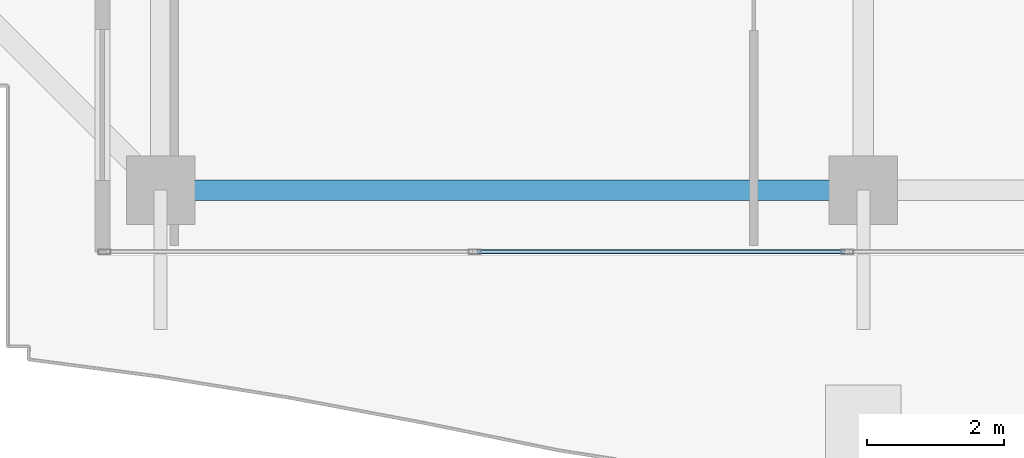
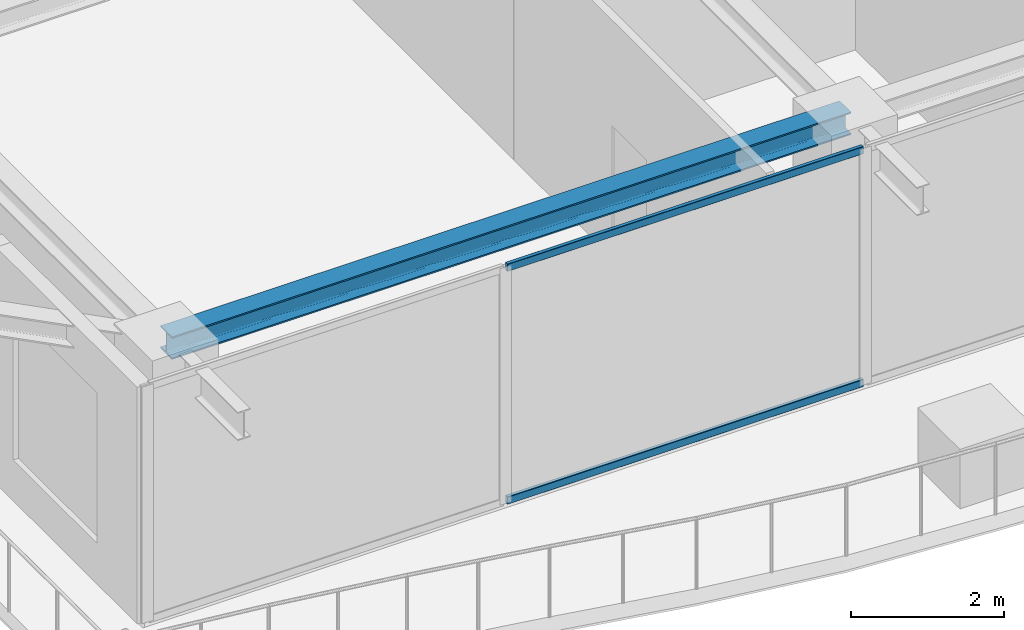
# One storey, part 3 of 42: 2 members, 1 beam, 1 element without a shape of its own.
"""IFC4 building model written with IfcOpenShell, lengths in metres."""

from ifc_helpers import new_model, si_unit, direction, frame, origin, origin_2d, place, context, subcontext, project, spatial, hollow_rectangle, i_section, extrude, source, transform, mapped, material, layer, layer_set, material_profile, profile_set, type_object, element, aggregate, save


model = new_model("IFC4")

# Units and contexts
model_context = context("Model", 3, precision=1e-05, world=origin(), true_north=direction((0.0, 1.0)))
body_context = subcontext(model_context, "Body", "Model", "MODEL_VIEW")
ifc_project = project(units=[si_unit("LENGTHUNIT", "METRE"), si_unit("AREAUNIT", "SQUARE_METRE"), si_unit("VOLUMEUNIT", "CUBIC_METRE"), si_unit("PLANEANGLEUNIT", "RADIAN"), si_unit("MASSUNIT", "GRAM", prefix="KILO")], contexts=[model_context])

# Site, building, storey
site_placement = place(None, origin())
site = spatial("IfcSite", under=ifc_project, at=site_placement, CompositionType="ELEMENT")
building_placement = place(site_placement, origin())
building = spatial("IfcBuilding", under=site, at=building_placement, Name="Serunith Strait Residences", CompositionType="ELEMENT")
storey_placement = place(building_placement, frame((0.0, 0.0, 309.64990234375)))
storey = spatial("IfcBuildingStorey", under=building, at=storey_placement, Name="L77", CompositionType="ELEMENT", Elevation=309.64990234375)

# Beam
ifc_material_1 = material(Name="Steel S355J2", Category="steel")
ifc_material_profile_1 = material_profile(ifc_material_1, i_section(OverallWidth=0.300048828125, OverallDepth=0.360107421875, WebThickness=0.012451171875, FlangeThickness=0.0224609375, FilletRadius=0.027099609375, at=origin_2d()), Name="HEB 360")
ifc_profile_set_1 = profile_set([ifc_material_profile_1], Name="Steel S355J2")
beam_type = type_object("IfcBeamType", Name="BM-HEB360", PredefinedType="BEAM", material=ifc_profile_set_1)
shared_shape_1 = source(origin(), body_context, "Body", "SweptSolid", [
    extrude(i_section(OverallWidth=0.300048828125, OverallDepth=0.360107421875, WebThickness=0.012451171875, FlangeThickness=0.0224609375, FilletRadius=0.027099609375, at=origin_2d()), origin(), (0.0, 0.0, 1.0), 10.25),
])
beam_placement = place(storey_placement, frame((17.64990234375, 3.300048828125, 3.607177734375), z_axis=(1.0, 0.0, 0.0), x_axis=(0.0, 1.0, 0.0)))
element("IfcBeam", 1, at=beam_placement, inside=storey, type_object=beam_type, Name="L77 Perimeter Ring Beam 01", PredefinedType="BEAM", context=body_context, shape_type="MappedRepresentation", body=[
    mapped(shared_shape_1, transform((0.0, 0.0, 0.0), scale=1.0)),
])

# Curtain wall, members
ifc_material_2 = material(Name="Brushed Stainless-Silver Aluminium", Category="aluminium")
ifc_layer = layer(ifc_material_2, 0.199951171875, Name="Brushed Stainless-Silver Aluminium")
ifc_layer_set = layer_set([ifc_layer], Name="Brushed Stainless-Silver Aluminium")
curtain_wall_type = type_object("IfcCurtainWallType", Name="CW-SYS5", PredefinedType="NOTDEFINED", material=ifc_layer_set)
curtain_wall_placement = place(storey_placement, origin())
curtain_wall = element("IfcCurtainWall", 2, at=curtain_wall_placement, inside=storey, type_object=curtain_wall_type, Name="L77 S Unitised Fritted Curtain Wall", PredefinedType="NOTDEFINED")
ifc_material_profile_2 = material_profile(ifc_material_2, hollow_rectangle(XDim=0.06005859375, YDim=0.1201171875, WallThickness=0.00341796875, InnerFilletRadius=0.00537109375, OuterFilletRadius=0.0087890625, at=origin_2d()), Name="ALU 120x60x3.5")
ifc_profile_set_2 = profile_set([ifc_material_profile_2], Name="Brushed Stainless-Silver Aluminium")
member_type = type_object("IfcMemberType", Name="CW-SYS5-TRAN", PredefinedType="USERDEFINED", material=ifc_profile_set_2)
shared_shape_2 = source(origin(), body_context, "Body", "SweptSolid", [
    extrude(hollow_rectangle(XDim=0.06005859375, YDim=0.1201171875, WallThickness=0.00341796875, InnerFilletRadius=0.00537109375, OuterFilletRadius=0.0087890625, at=origin_2d()), origin(), (0.0, 0.0, 1.0), 5.368408203125),
])
member_1_placement = place(storey_placement, frame((22.265869140625, 2.39990234375, 0.030029296875), z_axis=(1.0, 0.0, 0.0), x_axis=(0.0, 1.0, 0.0)))
member_1 = element("IfcMember", 3, at=member_1_placement, type_object=member_type, Name="CW-5 transom 2.1", ObjectType="TRANSOM", PredefinedType="USERDEFINED", context=body_context, shape_type="MappedRepresentation", body=[
    mapped(shared_shape_2, transform((0.0, 0.0, 0.0), scale=1.0)),
])
member_2_placement = place(storey_placement, frame((22.265869140625, 2.39990234375, 3.7451171875), z_axis=(1.0, 0.0, 0.0), x_axis=(0.0, 1.0, 0.0)))
member_2 = element("IfcMember", 4, at=member_2_placement, type_object=member_type, Name="CW-5 transom 2.2", ObjectType="TRANSOM", PredefinedType="USERDEFINED", context=body_context, shape_type="MappedRepresentation", body=[
    mapped(shared_shape_2, transform((0.0, 0.0, 0.0), scale=1.0)),
])
aggregate(curtain_wall, [member_1, member_2])

save(model, "model.ifc")
